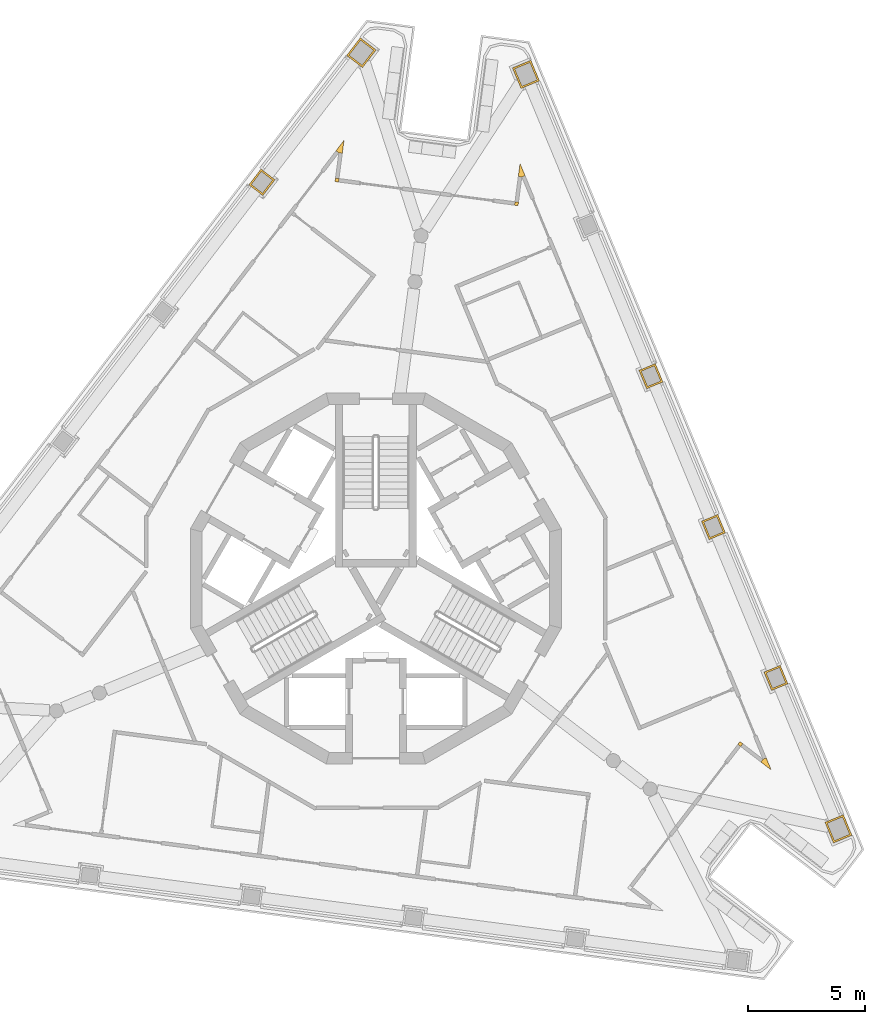
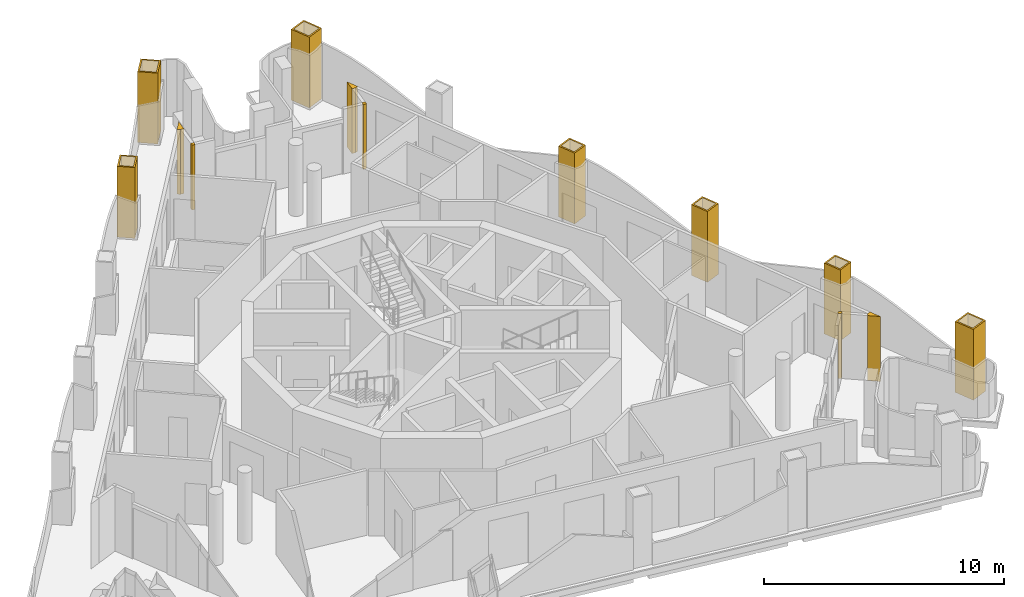
# One storey, part 11 of 12: 13 coverings.
"""IFC4 building model written with IfcOpenShell, lengths in metres."""

from ifc_helpers import new_model, si_unit, direction, frame, origin, place, context, subcontext, project, spatial, polyline, outline, extrude, material, layer, layer_set, type_object, element, save


model = new_model("IFC4")

# Units and contexts
model_context = context("Model", 3, precision=1e-05, world=origin(), true_north=direction((0.0, 1.0)))
body_context = subcontext(model_context, "Body", "Model", "MODEL_VIEW")
ifc_project = project(units=[si_unit("LENGTHUNIT", "METRE"), si_unit("AREAUNIT", "SQUARE_METRE"), si_unit("VOLUMEUNIT", "CUBIC_METRE"), si_unit("PLANEANGLEUNIT", "RADIAN"), si_unit("MASSUNIT", "GRAM", prefix="KILO")], contexts=[model_context])

# Site, building, storey
site_placement = place(None, origin())
site = spatial("IfcSite", under=ifc_project, at=site_placement, CompositionType="ELEMENT")
building_placement = place(site_placement, origin())
building = spatial("IfcBuilding", under=site, at=building_placement, Name="Trine Commons Tower", CompositionType="ELEMENT")
storey_placement = place(building_placement, frame((0.0, 0.0, 293.39990234375)))
storey = spatial("IfcBuildingStorey", under=building, at=storey_placement, Name="L77", CompositionType="ELEMENT", Elevation=293.39990234375)

# Coverings
ifc_material_1 = material(Name="Aluminium-framed insulated wall panel", Category="aluminium")
ifc_layer_1 = layer(ifc_material_1, 0.14990234375)
ifc_layer_set_1 = layer_set([ifc_layer_1], Name="Aluminium-framed insulated wall panel")
covering_type_1 = type_object("IfcCoveringType", Name="Glazing corner post, aluminium", PredefinedType="CLADDING", material=ifc_layer_set_1)
covering_1_placement = place(storey_placement, origin())
element("IfcCovering", 1, at=covering_1_placement, inside=storey, type_object=covering_type_1, Name="Glazing corner post 8-02", PredefinedType="CLADDING", context=body_context, shape_type="SweptSolid", body=[
    extrude(outline(polyline([(78.41845703125, 80.671875), (78.567138671875, 80.652099609375), (78.64013671875, 81.207275390625), (78.29931640625, 80.76318359375), (78.41845703125, 80.671875), (78.41845703125, 80.671875)])), origin(), (0.0, 0.0, 1.0), 3.300048828125),
])
covering_2_placement = place(storey_placement, origin())
element("IfcCovering", 2, at=covering_2_placement, inside=storey, type_object=covering_type_1, Name="Glazing corner post 8-03", PredefinedType="CLADDING", context=body_context, shape_type="SweptSolid", body=[
    extrude(outline(polyline([(78.40576171875, 79.427001953125), (78.42529296875, 79.57568359375), (78.276611328125, 79.59521484375), (78.257080078125, 79.446533203125), (78.40576171875, 79.427001953125)])), origin(), (0.0, 0.0, 1.0), 3.300048828125),
])
covering_3_placement = place(storey_placement, origin())
element("IfcCovering", 3, at=covering_3_placement, inside=storey, type_object=covering_type_1, Name="Glazing corner post 8-04", PredefinedType="CLADDING", context=body_context, shape_type="SweptSolid", body=[
    extrude(outline(polyline([(85.9208984375, 78.437744140625), (86.069580078125, 78.418212890625), (86.089111328125, 78.56689453125), (85.9404296875, 78.58642578125), (85.9208984375, 78.437744140625)])), origin(), (0.0, 0.0, 1.0), 3.300048828125),
])
covering_4_placement = place(storey_placement, origin())
element("IfcCovering", 4, at=covering_4_placement, inside=storey, type_object=covering_type_1, Name="Glazing corner post 8-05", PredefinedType="CLADDING", context=body_context, shape_type="SweptSolid", body=[
    extrude(outline(polyline([(86.082275390625, 79.662841796875), (86.23095703125, 79.643310546875), (86.369384765625, 79.70068359375), (86.1552734375, 80.2177734375), (86.082275390625, 79.662841796875)])), origin(), (0.0, 0.0, 1.0), 3.300048828125),
])
covering_5_placement = place(storey_placement, origin())
element("IfcCovering", 5, at=covering_5_placement, inside=storey, type_object=covering_type_1, Name="Glazing corner post 8-06", PredefinedType="CLADDING", context=body_context, shape_type="SweptSolid", body=[
    extrude(outline(polyline([(96.436767578125, 54.664794921875), (96.880859375, 54.32421875), (96.66650390625, 54.84130859375), (96.528076171875, 54.783935546875), (96.436767578125, 54.664794921875)])), origin(), (0.0, 0.0, 1.0), 3.300048828125),
])
covering_6_placement = place(storey_placement, origin())
element("IfcCovering", 6, at=covering_6_placement, inside=storey, type_object=covering_type_1, Name="Glazing corner post 8-07", PredefinedType="CLADDING", context=body_context, shape_type="SweptSolid", body=[
    extrude(outline(polyline([(95.456298828125, 55.4169921875), (95.575439453125, 55.32568359375), (95.666748046875, 55.44482421875), (95.547607421875, 55.5361328125), (95.456298828125, 55.4169921875)])), origin(), (0.0, 0.0, 1.0), 3.300048828125),
])
ifc_material_2 = material(Name="Limestone, honed", Category="masonry")
ifc_layer_2 = layer(ifc_material_2, 0.074951171875)
ifc_layer_set_2 = layer_set([ifc_layer_2], Name="Limestone, honed")
covering_type_2 = type_object("IfcCoveringType", Name="Limestone column cladding 75", PredefinedType="CLADDING", material=ifc_layer_set_2)
covering_7_placement = place(storey_placement, origin())
element("IfcCovering", 7, at=covering_7_placement, inside=storey, type_object=covering_type_2, Name="Limestone pier cladding 8-11", PredefinedType="CLADDING", context=body_context, shape_type="SweptSolid", body=[
    extrude(outline(polyline([(75.691650390625, 79.52490234375), (75.0966796875, 79.9814453125), (74.579345703125, 79.30712890625), (75.17431640625, 78.8505859375), (75.691650390625, 79.52490234375)]), holes=[polyline([(75.586669921875, 79.510986328125), (75.110595703125, 79.876220703125), (74.684326171875, 79.321044921875), (75.160400390625, 78.955810546875), (75.586669921875, 79.510986328125)])]), origin(), (0.0, 0.0, 1.0), 3.60009765625),
])
covering_8_placement = place(storey_placement, origin())
element("IfcCovering", 8, at=covering_8_placement, inside=storey, type_object=covering_type_2, Name="Limestone pier cladding 8-12", PredefinedType="CLADDING", context=body_context, shape_type="SweptSolid", body=[
    extrude(outline(polyline([(80.006591796875, 85.06591796875), (79.332275390625, 85.58349609375), (78.75390625, 84.829833984375), (79.42822265625, 84.312255859375), (80.006591796875, 85.06591796875)]), holes=[polyline([(79.9013671875, 85.05224609375), (79.345947265625, 85.478271484375), (78.85888671875, 84.843505859375), (79.414306640625, 84.41748046875), (79.9013671875, 85.05224609375)])]), origin(), (0.0, 0.0, 1.0), 3.60009765625),
])
covering_9_placement = place(storey_placement, origin())
element("IfcCovering", 9, at=covering_9_placement, inside=storey, type_object=covering_type_2, Name="Limestone pier cladding 8-13", PredefinedType="CLADDING", context=body_context, shape_type="SweptSolid", body=[
    extrude(outline(polyline([(86.619384765625, 84.6240234375), (85.834228515625, 84.298828125), (86.19775390625, 83.421142578125), (86.98291015625, 83.746337890625), (86.619384765625, 84.6240234375)]), holes=[polyline([(86.578857421875, 84.526123046875), (85.93212890625, 84.25830078125), (86.23828125, 83.51904296875), (86.885009765625, 83.787109375), (86.578857421875, 84.526123046875)])]), origin(), (0.0, 0.0, 1.0), 3.60009765625),
])
covering_10_placement = place(storey_placement, origin())
element("IfcCovering", 10, at=covering_10_placement, inside=storey, type_object=covering_type_2, Name="Limestone pier cladding 8-15", PredefinedType="CLADDING", context=body_context, shape_type="SweptSolid", body=[
    extrude(outline(polyline([(91.92919921875, 71.6748046875), (91.236083984375, 71.3876953125), (91.5615234375, 70.6025390625), (92.25439453125, 70.8896484375), (91.92919921875, 71.6748046875)]), holes=[polyline([(91.888427734375, 71.576904296875), (91.334228515625, 71.347412109375), (91.60205078125, 70.700439453125), (92.156494140625, 70.93017578125), (91.888427734375, 71.576904296875)])]), origin(), (0.0, 0.0, 1.0), 3.60009765625),
])
covering_11_placement = place(storey_placement, origin())
element("IfcCovering", 11, at=covering_11_placement, inside=storey, type_object=covering_type_2, Name="Limestone pier cladding 8-16", PredefinedType="CLADDING", context=body_context, shape_type="SweptSolid", body=[
    extrude(outline(polyline([(94.597412109375, 65.23291015625), (93.904541015625, 64.94580078125), (94.229736328125, 64.160400390625), (94.922607421875, 64.447509765625), (94.597412109375, 65.23291015625)]), holes=[polyline([(94.556884765625, 65.135009765625), (94.00244140625, 64.9052734375), (94.2705078125, 64.258544921875), (94.82470703125, 64.488037109375), (94.556884765625, 65.135009765625)])]), origin(), (0.0, 0.0, 1.0), 3.60009765625),
])
covering_12_placement = place(storey_placement, origin())
element("IfcCovering", 12, at=covering_12_placement, inside=storey, type_object=covering_type_2, Name="Limestone pier cladding 8-17", PredefinedType="CLADDING", context=body_context, shape_type="SweptSolid", body=[
    extrude(outline(polyline([(97.265625, 58.791015625), (96.57275390625, 58.50390625), (96.898193359375, 57.718505859375), (97.591064453125, 58.005615234375), (97.265625, 58.791015625)]), holes=[polyline([(97.22509765625, 58.69287109375), (96.6708984375, 58.46337890625), (96.938720703125, 57.81640625), (97.492919921875, 58.046142578125), (97.22509765625, 58.69287109375)])]), origin(), (0.0, 0.0, 1.0), 3.60009765625),
])
covering_13_placement = place(storey_placement, origin())
element("IfcCovering", 13, at=covering_13_placement, inside=storey, type_object=covering_type_2, Name="Limestone pier cladding 8-18", PredefinedType="CLADDING", context=body_context, shape_type="SweptSolid", body=[
    extrude(outline(polyline([(99.961181640625, 52.414306640625), (99.17578125, 52.089111328125), (99.539306640625, 51.211181640625), (100.32470703125, 51.53662109375), (99.961181640625, 52.414306640625)]), holes=[polyline([(99.920654296875, 52.31640625), (99.27392578125, 52.04833984375), (99.580078125, 51.309326171875), (100.226806640625, 51.5771484375), (99.920654296875, 52.31640625)])]), origin(), (0.0, 0.0, 1.0), 3.60009765625),
])

save(model, "model.ifc")
